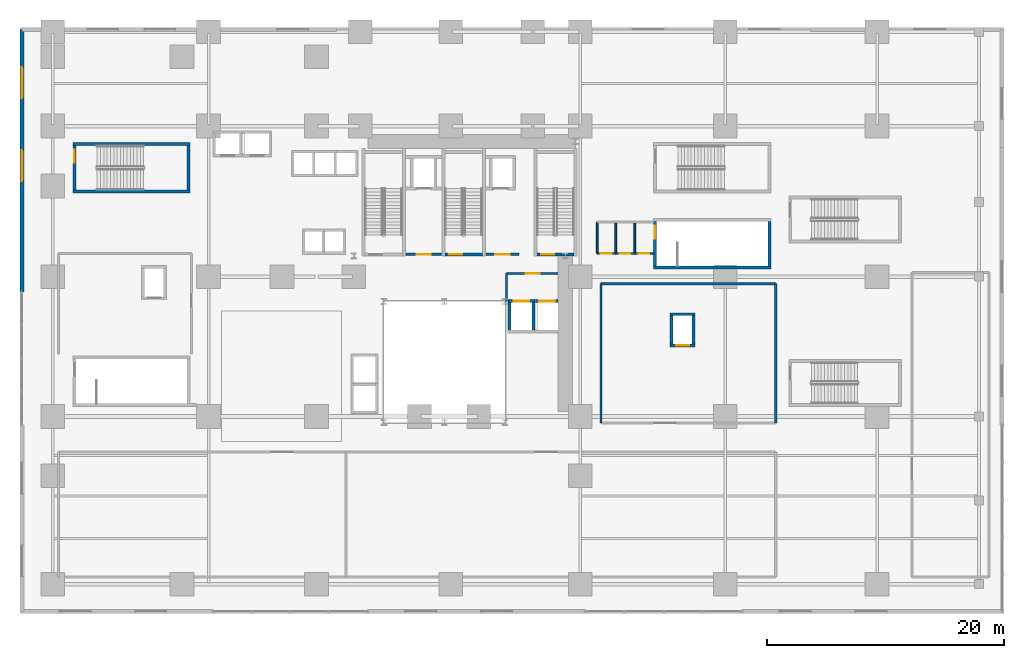
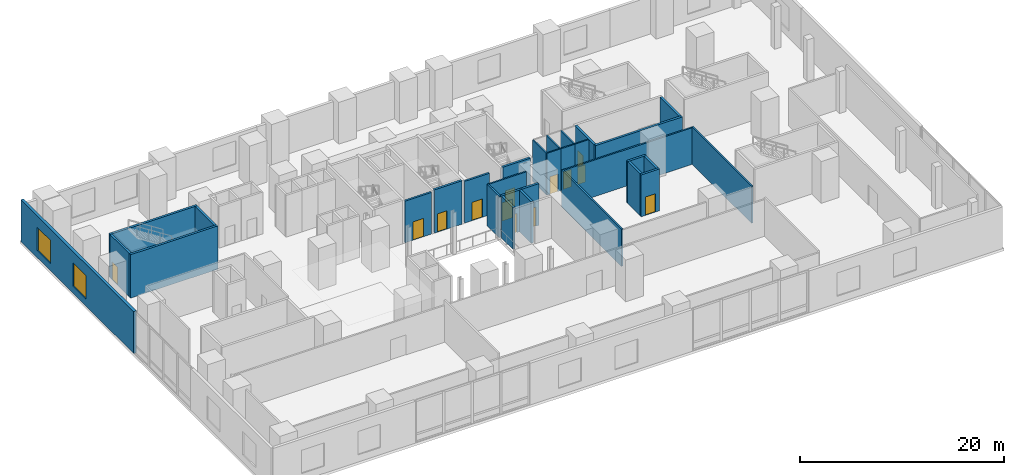
# One storey, part 9 of 15: 31 walls, 13 doors, 2 windows, 15 openings.
"""IFC4 building model written with IfcOpenShell, lengths in metres."""

from ifc_helpers import new_model, si_unit, direction, frame, frame_2d, origin, place, context, subcontext, project, spatial, rectangle, extrude, source, transform, mapped, material, layer, layer_set, type_object, element, fill, save


model = new_model("IFC4")

# Units and contexts
model_context = context("Model", 3, precision=1e-05, world=origin(), true_north=direction((0.0, 1.0)))
body_context = subcontext(model_context, "Body", "Model", "MODEL_VIEW")
ifc_project = project(units=[si_unit("LENGTHUNIT", "METRE"), si_unit("AREAUNIT", "SQUARE_METRE"), si_unit("VOLUMEUNIT", "CUBIC_METRE"), si_unit("PLANEANGLEUNIT", "RADIAN"), si_unit("MASSUNIT", "GRAM", prefix="KILO")], contexts=[model_context])

# Site, building, storey
site_placement = place(None, origin())
site = spatial("IfcSite", under=ifc_project, at=site_placement, CompositionType="ELEMENT")
building_placement = place(site_placement, origin())
building = spatial("IfcBuilding", under=site, at=building_placement, Name="Vardaveli Station Tower", CompositionType="ELEMENT")
storey_placement = place(building_placement, frame((0.0, 0.0, 6.0)))
storey = spatial("IfcBuildingStorey", under=building, at=storey_placement, Name="L02", CompositionType="ELEMENT", Elevation=6.0)

# Wall, openings, windows
ifc_material_1 = material(Name="Precast concrete C45/55", Category="concrete")
ifc_layer_1 = layer(ifc_material_1, 0.320068359375, Name="Precast concrete C45/55")
ifc_layer_set_1 = layer_set([ifc_layer_1], Name="Precast concrete C45/55")
wall_type_1 = type_object("IfcWallType", Name="WAL-EXT-STONE-320", PredefinedType="SOLIDWALL", material=ifc_layer_set_1)
shared_shape_1 = source(origin(), body_context, "Body", "SweptSolid", [
    extrude(rectangle(XDim=22.14990234375, YDim=0.320068359375, at=frame_2d((11.074951171875, 0.0))), origin(), (0.0, 0.0, 1.0), 5.0),
])
wall_1_placement = place(storey_placement, frame((0.64990234375, 49.75, 0.0), z_axis=(0.0, 0.0, 1.0), x_axis=(0.0, -1.0, 0.0)))
wall_1 = element("IfcWall", 1, at=wall_1_placement, inside=storey, type_object=wall_type_1, Name="EW-L02-W3", PredefinedType="SOLIDWALL", context=body_context, shape_type="MappedRepresentation", body=[
    mapped(shared_shape_1, transform((0.0, 0.0, 0.0), scale=1.0)),
])
shared_shape_2 = source(origin(), body_context, "Body", "SweptSolid", [
    extrude(rectangle(XDim=2.60009765625, YDim=2.800048828125, at=frame_2d((1.300048828125, 1.39990234375))), frame((0.0, 0.169921875, 0.0), z_axis=(0.0, -1.0, 0.0), x_axis=(1.0, 0.0, 0.0)), (0.0, 0.0, 1.0), 0.340087890625),
])
opening_1_placement = place(wall_1_placement, frame((3.199951171875, 0.0, 0.85009765625)))
opening_1 = element("IfcOpeningElement", 2, at=opening_1_placement, cuts=wall_1, Name="Opening W-02", PredefinedType="OPENING", context=body_context, shape_type="MappedRepresentation", body=[
    mapped(shared_shape_2, transform((0.0, 0.0, 0.0), scale=1.0)),
])
opening_2_placement = place(wall_1_placement, frame((10.199951171875, 0.0, 0.85009765625)))
opening_2 = element("IfcOpeningElement", 3, at=opening_2_placement, cuts=wall_1, Name="Opening W-02", PredefinedType="OPENING", context=body_context, shape_type="MappedRepresentation", body=[
    mapped(shared_shape_2, transform((0.0, 0.0, 0.0), scale=1.0)),
])
ifc_material_2 = material(Name="Low-E solar-control glass", Category="glass")
window_type = type_object("IfcWindowType", Name="WIN-POD-2600x2800", PartitioningType="SINGLE_PANEL", PredefinedType="WINDOW", material=ifc_material_2)
shared_shape_3 = source(origin(), body_context, "Body", "SweptSolid", [
    extrude(rectangle(XDim=2.60009765625, YDim=2.800048828125, at=frame_2d((1.300048828125, 1.39990234375))), frame((0.0, 0.030029296875, 0.0), z_axis=(0.0, -1.0, 0.0), x_axis=(1.0, 0.0, 0.0)), (0.0, 0.0, 1.0), 0.06005859375),
])
window_1_placement = place(opening_1_placement, origin())
window_1 = element("IfcWindow", 4, at=window_1_placement, inside=storey, type_object=window_type, Name="WN-L02-W3A", OverallHeight=2.800048828125, OverallWidth=2.60009765625, PartitioningType="SINGLE_PANEL", PredefinedType="WINDOW", context=body_context, shape_type="MappedRepresentation", body=[
    mapped(shared_shape_3, transform((0.0, 0.0, 0.0), scale=1.0)),
])
fill(opening_1, window_1)
window_2_placement = place(opening_2_placement, origin())
window_2 = element("IfcWindow", 5, at=window_2_placement, inside=storey, type_object=window_type, Name="WN-L02-W3B", OverallHeight=2.800048828125, OverallWidth=2.60009765625, PartitioningType="SINGLE_PANEL", PredefinedType="WINDOW", context=body_context, shape_type="MappedRepresentation", body=[
    mapped(shared_shape_3, transform((0.0, 0.0, 0.0), scale=1.0)),
])
fill(opening_2, window_2)

# Wall, opening, door
ifc_material_3 = material(Name="Concrete C40/50", Category="concrete")
ifc_layer_2 = layer(ifc_material_3, 0.25, Name="Concrete C40/50")
ifc_layer_set_2 = layer_set([ifc_layer_2], Name="Concrete C40/50")
wall_type_2 = type_object("IfcWallType", Name="WAL-SHAFT-250", PredefinedType="SOLIDWALL", material=ifc_layer_set_2)
shared_shape_4 = source(origin(), body_context, "Body", "SweptSolid", [
    extrude(rectangle(XDim=3.14990234375, YDim=0.25, at=frame_2d((1.574951171875, 0.0))), origin(), (0.0, 0.0, 1.0), 5.199951171875),
])
wall_2_placement = place(storey_placement, frame((36.35009765625, 30.77490234375, 0.0), z_axis=(0.0, 0.0, 1.0), x_axis=(1.0, 0.0, 0.0)))
wall_2 = element("IfcWall", 6, at=wall_2_placement, inside=storey, type_object=wall_type_2, Name="W-L02-ST-2S", PredefinedType="SOLIDWALL", context=body_context, shape_type="MappedRepresentation", body=[
    mapped(shared_shape_4, transform((0.0, 0.0, 0.0), scale=1.0)),
])
shared_shape_5 = source(origin(), body_context, "Body", "SweptSolid", [
    extrude(rectangle(XDim=1.10009765625, YDim=2.199951171875, at=frame_2d((0.550048828125, 1.10009765625))), frame((0.0, 0.135009765625, 0.0), z_axis=(0.0, -1.0, 0.0), x_axis=(1.0, 0.0, 0.0)), (0.0, 0.0, 1.0), 0.27001953125),
])
opening_3_placement = place(wall_2_placement, frame((0.35009765625, 0.0, 0.0)))
opening_3 = element("IfcOpeningElement", 7, at=opening_3_placement, cuts=wall_2, Name="Opening D-04", PredefinedType="OPENING", context=body_context, shape_type="MappedRepresentation", body=[
    mapped(shared_shape_5, transform((0.0, 0.0, 0.0), scale=1.0)),
])
ifc_material_4 = material(Name="Steel smokeproof fire doorset", Category="steel")
door_type_1 = type_object("IfcDoorType", Name="DR-ST-1100x2200", OperationType="NOTDEFINED", PredefinedType="DOOR", material=ifc_material_4)
shared_shape_6 = source(origin(), body_context, "Body", "SweptSolid", [
    extrude(rectangle(XDim=1.10009765625, YDim=2.199951171875, at=frame_2d((0.550048828125, 1.10009765625))), frame((0.0, 0.02490234375, 0.0), z_axis=(0.0, -1.0, 0.0), x_axis=(1.0, 0.0, 0.0)), (0.0, 0.0, 1.0), 0.050048828125),
])
door_1_placement = place(opening_3_placement, origin())
door_1 = element("IfcDoor", 8, at=door_1_placement, inside=storey, type_object=door_type_1, Name="DST-2-L02", OperationType="SINGLE_SWING_LEFT", OverallHeight=2.199951171875, OverallWidth=1.10009765625, PredefinedType="DOOR", context=body_context, shape_type="MappedRepresentation", body=[
    mapped(shared_shape_6, transform((0.0, 0.0, 0.0), scale=1.0)),
])
fill(opening_3, door_1)

wall_3_placement = place(storey_placement, frame((44.10009765625, 30.77490234375, 0.0), z_axis=(0.0, 0.0, 1.0), x_axis=(1.0, 0.0, 0.0)))
wall_3 = element("IfcWall", 9, at=wall_3_placement, inside=storey, type_object=wall_type_2, Name="W-L02-ST-3S", PredefinedType="SOLIDWALL", context=body_context, shape_type="MappedRepresentation", body=[
    mapped(shared_shape_4, transform((0.0, 0.0, 0.0), scale=1.0)),
])
opening_4_placement = place(wall_3_placement, frame((0.35009765625, 0.0, 0.0)))
opening_4 = element("IfcOpeningElement", 10, at=opening_4_placement, cuts=wall_3, Name="Opening D-04", PredefinedType="OPENING", context=body_context, shape_type="MappedRepresentation", body=[
    mapped(shared_shape_5, transform((0.0, 0.0, 0.0), scale=1.0)),
])
door_2_placement = place(opening_4_placement, origin())
door_2 = element("IfcDoor", 11, at=door_2_placement, inside=storey, type_object=door_type_1, Name="DST-3-L02", OperationType="SINGLE_SWING_LEFT", OverallHeight=2.199951171875, OverallWidth=1.10009765625, PredefinedType="DOOR", context=body_context, shape_type="MappedRepresentation", body=[
    mapped(shared_shape_6, transform((0.0, 0.0, 0.0), scale=1.0)),
])
fill(opening_4, door_2)

# Walls
shared_shape_7 = source(origin(), body_context, "Body", "SweptSolid", [
    extrude(rectangle(XDim=9.900146484375, YDim=0.25, at=frame_2d((4.9501953125, 0.0))), origin(), (0.0, 0.0, 1.0), 5.199951171875),
])
for number, where, z_axis, x_axis, name in (
    (12, (4.949951171875, 36.074951171875, 0.0), (0.0, 0.0, 1.0), (1.0, 0.0, 0.0), "W-L02-ST-P1S"),
    (13, (4.949951171875, 40.074951171875, 0.0), (0.0, 0.0, 1.0), (1.0, 0.0, 0.0), "W-L02-ST-P1N"),
):
    element("IfcWall", number, at=place(storey_placement, frame(where, z_axis=z_axis, x_axis=x_axis)), inside=storey, type_object=wall_type_2, Name=name, PredefinedType="SOLIDWALL", context=body_context, shape_type="MappedRepresentation", body=[
        mapped(shared_shape_7, transform((0.0, 0.0, 0.0), scale=1.0)),
    ])
shared_shape_8 = source(origin(), body_context, "Body", "SweptSolid", [
    extrude(rectangle(XDim=3.75, YDim=0.25, at=frame_2d((1.875, 0.0))), origin(), (0.0, 0.0, 1.0), 5.199951171875),
])
wall_4_placement = place(storey_placement, frame((14.72509765625, 36.199951171875, 0.0), z_axis=(0.0, 0.0, 1.0), x_axis=(0.0, 1.0, 0.0)))
element("IfcWall", 14, at=wall_4_placement, inside=storey, type_object=wall_type_2, Name="W-L02-ST-P1E", PredefinedType="SOLIDWALL", context=body_context, shape_type="MappedRepresentation", body=[
    mapped(shared_shape_8, transform((0.0, 0.0, 0.0), scale=1.0)),
])

# Wall, opening, door
wall_5_placement = place(storey_placement, frame((5.074951171875, 36.199951171875, 0.0), z_axis=(0.0, 0.0, 1.0), x_axis=(0.0, 1.0, 0.0)))
wall_5 = element("IfcWall", 15, at=wall_5_placement, inside=storey, type_object=wall_type_2, Name="W-L02-ST-P1W", PredefinedType="SOLIDWALL", context=body_context, shape_type="MappedRepresentation", body=[
    mapped(shared_shape_8, transform((0.0, 0.0, 0.0), scale=1.0)),
])
opening_5_placement = place(wall_5_placement, frame((2.300048828125, 0.0, 0.0)))
opening_5 = element("IfcOpeningElement", 16, at=opening_5_placement, cuts=wall_5, Name="Opening D-04", PredefinedType="OPENING", context=body_context, shape_type="MappedRepresentation", body=[
    mapped(shared_shape_5, transform((0.0, 0.0, 0.0), scale=1.0)),
])
door_3_placement = place(opening_5_placement, origin())
door_3 = element("IfcDoor", 17, at=door_3_placement, inside=storey, type_object=door_type_1, Name="DST-P1-L02", OperationType="SINGLE_SWING_RIGHT", OverallHeight=2.199951171875, OverallWidth=1.10009765625, PredefinedType="DOOR", context=body_context, shape_type="MappedRepresentation", body=[
    mapped(shared_shape_6, transform((0.0, 0.0, 0.0), scale=1.0)),
])
fill(opening_5, door_3)

# Walls
shared_shape_9 = source(origin(), body_context, "Body", "SweptSolid", [
    extrude(rectangle(XDim=9.900146484375, YDim=0.25, at=frame_2d((4.9501953125, 0.0))), origin(), (0.0, 0.0, 1.0), 5.0),
])
wall_6_placement = place(storey_placement, frame((53.949951171875, 29.675048828125, 0.0), z_axis=(0.0, 0.0, 1.0), x_axis=(1.0, 0.0, 0.0)))
element("IfcWall", 18, at=wall_6_placement, inside=storey, type_object=wall_type_2, Name="W-L02-ST-S2S", PredefinedType="SOLIDWALL", context=body_context, shape_type="MappedRepresentation", body=[
    mapped(shared_shape_9, transform((0.0, 0.0, 0.0), scale=1.0)),
])
shared_shape_10 = source(origin(), body_context, "Body", "SweptSolid", [
    extrude(rectangle(XDim=3.75, YDim=0.25, at=frame_2d((1.875, 0.0))), origin(), (0.0, 0.0, 1.0), 5.0),
])
wall_7_placement = place(storey_placement, frame((63.72509765625, 29.800048828125, 0.0), z_axis=(0.0, 0.0, 1.0), x_axis=(0.0, 1.0, 0.0)))
element("IfcWall", 19, at=wall_7_placement, inside=storey, type_object=wall_type_2, Name="W-L02-ST-S2E", PredefinedType="SOLIDWALL", context=body_context, shape_type="MappedRepresentation", body=[
    mapped(shared_shape_10, transform((0.0, 0.0, 0.0), scale=1.0)),
])

# Wall, opening, door
wall_8_placement = place(storey_placement, frame((54.074951171875, 29.800048828125, 0.0), z_axis=(0.0, 0.0, 1.0), x_axis=(0.0, 1.0, 0.0)))
wall_8 = element("IfcWall", 20, at=wall_8_placement, inside=storey, type_object=wall_type_2, Name="W-L02-ST-S2W", PredefinedType="SOLIDWALL", context=body_context, shape_type="MappedRepresentation", body=[
    mapped(shared_shape_10, transform((0.0, 0.0, 0.0), scale=1.0)),
])
opening_6_placement = place(wall_8_placement, frame((2.300048828125, 0.0, 0.0)))
opening_6 = element("IfcOpeningElement", 21, at=opening_6_placement, cuts=wall_8, Name="Opening D-04", PredefinedType="OPENING", context=body_context, shape_type="MappedRepresentation", body=[
    mapped(shared_shape_5, transform((0.0, 0.0, 0.0), scale=1.0)),
])
door_4_placement = place(opening_6_placement, origin())
door_4 = element("IfcDoor", 22, at=door_4_placement, inside=storey, type_object=door_type_1, Name="DST-S2-L02", OperationType="SINGLE_SWING_RIGHT", OverallHeight=2.199951171875, OverallWidth=1.10009765625, PredefinedType="DOOR", context=body_context, shape_type="MappedRepresentation", body=[
    mapped(shared_shape_6, transform((0.0, 0.0, 0.0), scale=1.0)),
])
fill(opening_6, door_4)

ifc_layer_3 = layer(ifc_material_3, 0.219970703125, Name="Concrete C40/50")
ifc_layer_set_3 = layer_set([ifc_layer_3], Name="Concrete C40/50")
wall_type_3 = type_object("IfcWallType", Name="WAL-FFLOBBY-220", PredefinedType="SOLIDWALL", material=ifc_layer_set_3)
shared_shape_11 = source(origin(), body_context, "Body", "SweptSolid", [
    extrude(rectangle(XDim=3.0, YDim=0.219970703125, at=frame_2d((1.5, 0.0))), origin(), (0.0, 0.0, 1.0), 5.0),
])
wall_9_placement = place(storey_placement, frame((33.050048828125, 30.780029296875, 0.0), z_axis=(0.0, 0.0, 1.0), x_axis=(1.0, 0.0, 0.0)))
wall_9 = element("IfcWall", 23, at=wall_9_placement, inside=storey, type_object=wall_type_3, Name="W-L02-FFL1S", PredefinedType="SOLIDWALL", context=body_context, shape_type="MappedRepresentation", body=[
    mapped(shared_shape_11, transform((0.0, 0.0, 0.0), scale=1.0)),
])
shared_shape_12 = source(origin(), body_context, "Body", "SweptSolid", [
    extrude(rectangle(XDim=1.199951171875, YDim=2.199951171875, at=frame_2d((0.60009765625, 1.10009765625))), frame((0.0, 0.1201171875, 0.0), z_axis=(0.0, -1.0, 0.0), x_axis=(1.0, 0.0, 0.0)), (0.0, 0.0, 1.0), 0.239990234375),
])
opening_7_placement = place(wall_9_placement, frame((0.89990234375, 0.0, 0.0)))
opening_7 = element("IfcOpeningElement", 24, at=opening_7_placement, cuts=wall_9, Name="Opening D-03", PredefinedType="OPENING", context=body_context, shape_type="MappedRepresentation", body=[
    mapped(shared_shape_12, transform((0.0, 0.0, 0.0), scale=1.0)),
])
door_type_2 = type_object("IfcDoorType", Name="DR-FFL-1200x2200", OperationType="NOTDEFINED", PredefinedType="DOOR", material=ifc_material_4)
shared_shape_13 = source(origin(), body_context, "Body", "SweptSolid", [
    extrude(rectangle(XDim=1.199951171875, YDim=2.199951171875, at=frame_2d((0.60009765625, 1.10009765625))), frame((0.0, 0.02490234375, 0.0), z_axis=(0.0, -1.0, 0.0), x_axis=(1.0, 0.0, 0.0)), (0.0, 0.0, 1.0), 0.050048828125),
])
door_5_placement = place(opening_7_placement, origin())
door_5 = element("IfcDoor", 25, at=door_5_placement, inside=storey, type_object=door_type_2, Name="DFFL1-L02", OperationType="SINGLE_SWING_LEFT", OverallHeight=2.199951171875, OverallWidth=1.199951171875, PredefinedType="DOOR", context=body_context, shape_type="MappedRepresentation", body=[
    mapped(shared_shape_13, transform((0.0, 0.0, 0.0), scale=1.0)),
])
fill(opening_7, door_5)

shared_shape_14 = source(origin(), body_context, "Body", "SweptSolid", [
    extrude(rectangle(XDim=2.800048828125, YDim=0.219970703125, at=frame_2d((1.39990234375, 0.0))), origin(), (0.0, 0.0, 1.0), 5.0),
])
wall_10_placement = place(storey_placement, frame((39.800048828125, 30.780029296875, 0.0), z_axis=(0.0, 0.0, 1.0), x_axis=(1.0, 0.0, 0.0)))
wall_10 = element("IfcWall", 26, at=wall_10_placement, inside=storey, type_object=wall_type_3, Name="W-L02-FFL2S", PredefinedType="SOLIDWALL", context=body_context, shape_type="MappedRepresentation", body=[
    mapped(shared_shape_14, transform((0.0, 0.0, 0.0), scale=1.0)),
])
opening_8_placement = place(wall_10_placement, frame((0.800048828125, 0.0, 0.0)))
opening_8 = element("IfcOpeningElement", 27, at=opening_8_placement, cuts=wall_10, Name="Opening D-03", PredefinedType="OPENING", context=body_context, shape_type="MappedRepresentation", body=[
    mapped(shared_shape_12, transform((0.0, 0.0, 0.0), scale=1.0)),
])
door_6_placement = place(opening_8_placement, origin())
door_6 = element("IfcDoor", 28, at=door_6_placement, inside=storey, type_object=door_type_2, Name="DFFL2-L02", OperationType="SINGLE_SWING_RIGHT", OverallHeight=2.199951171875, OverallWidth=1.199951171875, PredefinedType="DOOR", context=body_context, shape_type="MappedRepresentation", body=[
    mapped(shared_shape_13, transform((0.0, 0.0, 0.0), scale=1.0)),
])
fill(opening_8, door_6)

# Walls
shared_shape_15 = source(origin(), body_context, "Body", "SweptSolid", [
    extrude(rectangle(XDim=2.400146484375, YDim=0.25, at=frame_2d((1.2001953125, 0.0))), origin(), (0.0, 0.0, 1.0), 5.0),
])
for number, where, z_axis, x_axis, name in (
    (29, (55.47509765625, 23.199951171875, 0.0), (0.0, 0.0, 1.0), (0.0, 1.0, 0.0), "SHW-STN-02-L02-W"),
    (30, (57.324951171875, 23.199951171875, 0.0), (0.0, 0.0, 1.0), (0.0, 1.0, 0.0), "SHW-STN-02-L02-E"),
):
    element("IfcWall", number, at=place(storey_placement, frame(where, z_axis=z_axis, x_axis=x_axis)), inside=storey, type_object=wall_type_2, Name=name, PredefinedType="SOLIDWALL", context=body_context, shape_type="MappedRepresentation", body=[
        mapped(shared_shape_15, transform((0.0, 0.0, 0.0), scale=1.0)),
    ])

# Wall, opening, door
shared_shape_16 = source(origin(), body_context, "Body", "SweptSolid", [
    extrude(rectangle(XDim=2.099853515625, YDim=0.25, at=frame_2d((1.0498046875, 0.0))), origin(), (0.0, 0.0, 1.0), 5.0),
])
wall_11_placement = place(storey_placement, frame((55.35009765625, 23.074951171875, 0.0), z_axis=(0.0, 0.0, 1.0), x_axis=(1.0, 0.0, 0.0)))
wall_11 = element("IfcWall", 31, at=wall_11_placement, inside=storey, type_object=wall_type_2, Name="SHW-STN-02-L02-S", PredefinedType="SOLIDWALL", context=body_context, shape_type="MappedRepresentation", body=[
    mapped(shared_shape_16, transform((0.0, 0.0, 0.0), scale=1.0)),
])
opening_9_placement = place(wall_11_placement, frame((0.5, 0.0, 0.0)))
opening_9 = element("IfcOpeningElement", 32, at=opening_9_placement, cuts=wall_11, Name="Opening LD-01", PredefinedType="OPENING", context=body_context, shape_type="MappedRepresentation", body=[
    mapped(shared_shape_5, transform((0.0, 0.0, 0.0), scale=1.0)),
])
ifc_material_5 = material(Name="Brushed stainless steel", Category="steel")
door_type_3 = type_object("IfcDoorType", Name="DR-LD-1100x2200", OperationType="DOUBLE_DOOR_SLIDING", PredefinedType="DOOR", material=ifc_material_5)
door_7_placement = place(opening_9_placement, origin())
door_7 = element("IfcDoor", 33, at=door_7_placement, inside=storey, type_object=door_type_3, Name="LD-STN-02-L02", OperationType="DOUBLE_DOOR_SLIDING", OverallHeight=2.199951171875, OverallWidth=1.10009765625, PredefinedType="DOOR", context=body_context, shape_type="MappedRepresentation", body=[
    mapped(shared_shape_6, transform((0.0, 0.0, 0.0), scale=1.0)),
])
fill(opening_9, door_7)

# Wall
wall_12_placement = place(storey_placement, frame((55.35009765625, 25.72509765625, 0.0), z_axis=(0.0, 0.0, 1.0), x_axis=(1.0, 0.0, 0.0)))
element("IfcWall", 34, at=wall_12_placement, inside=storey, type_object=wall_type_2, Name="SHW-STN-02-L02-N", PredefinedType="SOLIDWALL", context=body_context, shape_type="MappedRepresentation", body=[
    mapped(shared_shape_16, transform((0.0, 0.0, 0.0), scale=1.0)),
])

# Wall, opening, door
shared_shape_17 = source(origin(), body_context, "Body", "SweptSolid", [
    extrude(rectangle(XDim=2.300048828125, YDim=0.25, at=frame_2d((1.14990234375, 0.0))), origin(), (0.0, 0.0, 1.0), 5.0),
])
wall_13_placement = place(storey_placement, frame((41.64990234375, 26.824951171875, 0.0), z_axis=(0.0, 0.0, 1.0), x_axis=(1.0, 0.0, 0.0)))
wall_13 = element("IfcWall", 35, at=wall_13_placement, inside=storey, type_object=wall_type_2, Name="SHW-SRV-01-L02-N", PredefinedType="SOLIDWALL", context=body_context, shape_type="MappedRepresentation", body=[
    mapped(shared_shape_17, transform((0.0, 0.0, 0.0), scale=1.0)),
])
shared_shape_18 = source(origin(), body_context, "Body", "SweptSolid", [
    extrude(rectangle(XDim=1.300048828125, YDim=2.300048828125, at=frame_2d((0.64990234375, 1.14990234375))), frame((0.0, 0.135009765625, 0.0), z_axis=(0.0, -1.0, 0.0), x_axis=(1.0, 0.0, 0.0)), (0.0, 0.0, 1.0), 0.27001953125),
])
opening_10_placement = place(wall_13_placement, frame((0.5, 0.0, 0.0)))
opening_10 = element("IfcOpeningElement", 36, at=opening_10_placement, cuts=wall_13, Name="Opening LD-03", PredefinedType="OPENING", context=body_context, shape_type="MappedRepresentation", body=[
    mapped(shared_shape_18, transform((0.0, 0.0, 0.0), scale=1.0)),
])
door_type_4 = type_object("IfcDoorType", Name="DR-LD-1300x2300", OperationType="DOUBLE_DOOR_SLIDING", PredefinedType="DOOR", material=ifc_material_5)
shared_shape_19 = source(origin(), body_context, "Body", "SweptSolid", [
    extrude(rectangle(XDim=1.300048828125, YDim=2.300048828125, at=frame_2d((0.64990234375, 1.14990234375))), frame((0.0, 0.02490234375, 0.0), z_axis=(0.0, -1.0, 0.0), x_axis=(1.0, 0.0, 0.0)), (0.0, 0.0, 1.0), 0.050048828125),
])
door_8_placement = place(opening_10_placement, origin())
door_8 = element("IfcDoor", 37, at=door_8_placement, inside=storey, type_object=door_type_4, Name="LD-SRV-01-L02", OperationType="DOUBLE_DOOR_SLIDING", OverallHeight=2.300048828125, OverallWidth=1.300048828125, PredefinedType="DOOR", context=body_context, shape_type="MappedRepresentation", body=[
    mapped(shared_shape_19, transform((0.0, 0.0, 0.0), scale=1.0)),
])
fill(opening_10, door_8)

# Walls
for number, where, z_axis, x_axis, name in (
    (38, (41.77490234375, 24.39990234375, 0.0), (0.0, 0.0, 1.0), (0.0, 1.0, 0.0), "SHW-SRV-01-L02-W"),
    (39, (43.824951171875, 24.39990234375, 0.0), (0.0, 0.0, 1.0), (0.0, 1.0, 0.0), "SHW-SRV-01-L02-E"),
):
    element("IfcWall", number, at=place(storey_placement, frame(where, z_axis=z_axis, x_axis=x_axis)), inside=storey, type_object=wall_type_2, Name=name, PredefinedType="SOLIDWALL", context=body_context, shape_type="MappedRepresentation", body=[
        mapped(shared_shape_17, transform((0.0, 0.0, 0.0), scale=1.0)),
    ])

# Wall, opening, door
shared_shape_20 = source(origin(), body_context, "Body", "SweptSolid", [
    extrude(rectangle(XDim=1.89990234375, YDim=0.25, at=frame_2d((0.949951171875, 0.0))), origin(), (0.0, 0.0, 1.0), 5.0),
])
wall_14_placement = place(storey_placement, frame((44.0, 26.824951171875, 0.0), z_axis=(0.0, 0.0, 1.0), x_axis=(1.0, 0.0, 0.0)))
wall_14 = element("IfcWall", 40, at=wall_14_placement, inside=storey, type_object=wall_type_2, Name="SHW-SRV-02-L02-N", PredefinedType="SOLIDWALL", context=body_context, shape_type="MappedRepresentation", body=[
    mapped(shared_shape_20, transform((0.0, 0.0, 0.0), scale=1.0)),
])
opening_11_placement = place(wall_14_placement, frame((0.300048828125, 0.0, 0.0)))
opening_11 = element("IfcOpeningElement", 41, at=opening_11_placement, cuts=wall_14, Name="Opening LD-03", PredefinedType="OPENING", context=body_context, shape_type="MappedRepresentation", body=[
    mapped(shared_shape_18, transform((0.0, 0.0, 0.0), scale=1.0)),
])
door_9_placement = place(opening_11_placement, origin())
door_9 = element("IfcDoor", 42, at=door_9_placement, inside=storey, type_object=door_type_4, Name="LD-SRV-02-L02", OperationType="DOUBLE_DOOR_SLIDING", OverallHeight=2.300048828125, OverallWidth=1.300048828125, PredefinedType="DOOR", context=body_context, shape_type="MappedRepresentation", body=[
    mapped(shared_shape_19, transform((0.0, 0.0, 0.0), scale=1.0)),
])
fill(opening_11, door_9)

# Wall
ifc_material_6 = material(Name="Fire-rated gypsum stud partition")
ifc_layer_4 = layer(ifc_material_6, 0.179931640625, Name="Fire-rated gypsum stud partition")
ifc_layer_set_4 = layer_set([ifc_layer_4], Name="Fire-rated gypsum stud partition")
wall_type_4 = type_object("IfcWallType", Name="WAL-CORR-180", PredefinedType="PARTITIONING", material=ifc_layer_set_4)
shared_shape_21 = source(origin(), body_context, "Body", "SweptSolid", [
    extrude(rectangle(XDim=14.75, YDim=0.179931640625, at=frame_2d((7.375, 0.0))), origin(), (0.0, 0.0, 1.0), 4.39208984375),
])
wall_15_placement = place(storey_placement, frame((49.5, 28.300048828125, 0.0), z_axis=(0.0, 0.0, 1.0), x_axis=(1.0, 0.0, 0.0)))
element("IfcWall", 43, at=wall_15_placement, inside=storey, type_object=wall_type_4, Name="W-L02-MN3-N", PredefinedType="PARTITIONING", context=body_context, shape_type="MappedRepresentation", body=[
    mapped(shared_shape_21, transform((0.0, 0.0, 0.0), scale=1.0)),
])

# Wall, opening, door
shared_shape_22 = source(origin(), body_context, "Body", "SweptSolid", [
    extrude(rectangle(XDim=4.347900390625, YDim=0.179931640625, at=frame_2d((2.173828125, 0.0))), origin(), (0.0, 0.0, 1.0), 5.0),
])
wall_16_placement = place(storey_placement, frame((41.550048828125, 29.14990234375, 0.0), z_axis=(0.0, 0.0, 1.0), x_axis=(1.0, 0.0, 0.0)))
wall_16 = element("IfcWall", 44, at=wall_16_placement, inside=storey, type_object=wall_type_4, Name="W-L02-SVFN", PredefinedType="PARTITIONING", context=body_context, shape_type="MappedRepresentation", body=[
    mapped(shared_shape_22, transform((0.0, 0.0, 0.0), scale=1.0)),
])
shared_shape_23 = source(origin(), body_context, "Body", "SweptSolid", [
    extrude(rectangle(XDim=1.199951171875, YDim=2.199951171875, at=frame_2d((0.60009765625, 1.10009765625))), frame((0.0, 0.10009765625, 0.0), z_axis=(0.0, -1.0, 0.0), x_axis=(1.0, 0.0, 0.0)), (0.0, 0.0, 1.0), 0.199951171875),
])
opening_12_placement = place(wall_16_placement, frame((1.60009765625, 0.0, 0.0)))
opening_12 = element("IfcOpeningElement", 45, at=opening_12_placement, cuts=wall_16, Name="Opening D-03", PredefinedType="OPENING", context=body_context, shape_type="MappedRepresentation", body=[
    mapped(shared_shape_23, transform((0.0, 0.0, 0.0), scale=1.0)),
])
door_10_placement = place(opening_12_placement, origin())
door_10 = element("IfcDoor", 46, at=door_10_placement, inside=storey, type_object=door_type_2, Name="D-L02-SVF", OperationType="SINGLE_SWING_LEFT", OverallHeight=2.199951171875, OverallWidth=1.199951171875, PredefinedType="DOOR", context=body_context, shape_type="MappedRepresentation", body=[
    mapped(shared_shape_13, transform((0.0, 0.0, 0.0), scale=1.0)),
])
fill(opening_12, door_10)

ifc_material_7 = material(Name="Moisture-resistant stud partition")
ifc_layer_5 = layer(ifc_material_7, 0.14990234375, Name="Moisture-resistant stud partition")
ifc_layer_set_5 = layer_set([ifc_layer_5], Name="Moisture-resistant stud partition")
wall_type_5 = type_object("IfcWallType", Name="WAL-WET-150", PredefinedType="PARTITIONING", material=ifc_layer_set_5)
shared_shape_24 = source(origin(), body_context, "Body", "SweptSolid", [
    extrude(rectangle(XDim=1.587890625, YDim=0.14990234375, at=frame_2d((0.7939453125, 0.0))), origin(), (0.0, 0.0, 1.0), 5.0),
])
wall_17_placement = place(storey_placement, frame((52.360107421875, 30.85009765625, 0.0), z_axis=(0.0, 0.0, 1.0), x_axis=(1.0, 0.0, 0.0)))
wall_17 = element("IfcWall", 47, at=wall_17_placement, inside=storey, type_object=wall_type_5, Name="W-L02-WCF-S", PredefinedType="PARTITIONING", context=body_context, shape_type="MappedRepresentation", body=[
    mapped(shared_shape_24, transform((0.0, 0.0, 0.0), scale=1.0)),
])
shared_shape_25 = source(origin(), body_context, "Body", "SweptSolid", [
    extrude(rectangle(XDim=0.919921875, YDim=2.10009765625, at=frame_2d((0.4599609375, 1.050048828125))), frame((0.0, 0.0849609375, 0.0), z_axis=(0.0, -1.0, 0.0), x_axis=(1.0, 0.0, 0.0)), (0.0, 0.0, 1.0), 0.169921875),
])
opening_13_placement = place(wall_17_placement, frame((0.320068359375, 0.0, 0.0)))
opening_13 = element("IfcOpeningElement", 48, at=opening_13_placement, cuts=wall_17, Name="Opening D-07", PredefinedType="OPENING", context=body_context, shape_type="MappedRepresentation", body=[
    mapped(shared_shape_25, transform((0.0, 0.0, 0.0), scale=1.0)),
])
ifc_material_8 = material(Name="Moisture-resistant hardwood door", Category="wood")
door_type_5 = type_object("IfcDoorType", Name="DR-WC-920x2100", OperationType="NOTDEFINED", PredefinedType="DOOR", material=ifc_material_8)
shared_shape_26 = source(origin(), body_context, "Body", "SweptSolid", [
    extrude(rectangle(XDim=0.919921875, YDim=2.10009765625, at=frame_2d((0.4599609375, 1.050048828125))), frame((0.0, 0.02490234375, 0.0), z_axis=(0.0, -1.0, 0.0), x_axis=(1.0, 0.0, 0.0)), (0.0, 0.0, 1.0), 0.050048828125),
])
door_11_placement = place(opening_13_placement, origin())
door_11 = element("IfcDoor", 49, at=door_11_placement, inside=storey, type_object=door_type_5, Name="D-L02-WCF", OperationType="SINGLE_SWING_RIGHT", OverallHeight=2.10009765625, OverallWidth=0.919921875, PredefinedType="DOOR", context=body_context, shape_type="MappedRepresentation", body=[
    mapped(shared_shape_26, transform((0.0, 0.0, 0.0), scale=1.0)),
])
fill(opening_13, door_11)

shared_shape_27 = source(origin(), body_context, "Body", "SweptSolid", [
    extrude(rectangle(XDim=1.610107421875, YDim=0.14990234375, at=frame_2d((0.80517578125, 0.0))), origin(), (0.0, 0.0, 1.0), 5.0),
])
wall_18_placement = place(storey_placement, frame((50.75, 30.85009765625, 0.0), z_axis=(0.0, 0.0, 1.0), x_axis=(1.0, 0.0, 0.0)))
wall_18 = element("IfcWall", 50, at=wall_18_placement, inside=storey, type_object=wall_type_5, Name="W-L02-WCM-S", PredefinedType="PARTITIONING", context=body_context, shape_type="MappedRepresentation", body=[
    mapped(shared_shape_27, transform((0.0, 0.0, 0.0), scale=1.0)),
])
opening_14_placement = place(wall_18_placement, frame((0.320068359375, 0.0, 0.0)))
opening_14 = element("IfcOpeningElement", 51, at=opening_14_placement, cuts=wall_18, Name="Opening D-07", PredefinedType="OPENING", context=body_context, shape_type="MappedRepresentation", body=[
    mapped(shared_shape_25, transform((0.0, 0.0, 0.0), scale=1.0)),
])
door_12_placement = place(opening_14_placement, origin())
door_12 = element("IfcDoor", 52, at=door_12_placement, inside=storey, type_object=door_type_5, Name="D-L02-WCM", OperationType="SINGLE_SWING_LEFT", OverallHeight=2.10009765625, OverallWidth=0.919921875, PredefinedType="DOOR", context=body_context, shape_type="MappedRepresentation", body=[
    mapped(shared_shape_26, transform((0.0, 0.0, 0.0), scale=1.0)),
])
fill(opening_14, door_12)

shared_shape_28 = source(origin(), body_context, "Body", "SweptSolid", [
    extrude(rectangle(XDim=1.550048828125, YDim=0.14990234375, at=frame_2d((0.77490234375, 0.0))), origin(), (0.0, 0.0, 1.0), 5.0),
])
wall_19_placement = place(storey_placement, frame((49.199951171875, 30.85009765625, 0.0), z_axis=(0.0, 0.0, 1.0), x_axis=(1.0, 0.0, 0.0)))
wall_19 = element("IfcWall", 53, at=wall_19_placement, inside=storey, type_object=wall_type_5, Name="W-L02-WCA-S", PredefinedType="PARTITIONING", context=body_context, shape_type="MappedRepresentation", body=[
    mapped(shared_shape_28, transform((0.0, 0.0, 0.0), scale=1.0)),
])
opening_15_placement = place(wall_19_placement, frame((0.300048828125, 0.0, 0.0)))
opening_15 = element("IfcOpeningElement", 54, at=opening_15_placement, cuts=wall_19, Name="Opening D-07", PredefinedType="OPENING", context=body_context, shape_type="MappedRepresentation", body=[
    mapped(shared_shape_25, transform((0.0, 0.0, 0.0), scale=1.0)),
])
door_13_placement = place(opening_15_placement, origin())
door_13 = element("IfcDoor", 55, at=door_13_placement, inside=storey, type_object=door_type_5, Name="D-L02-WCA", OperationType="SINGLE_SWING_RIGHT", OverallHeight=2.10009765625, OverallWidth=0.919921875, PredefinedType="DOOR", context=body_context, shape_type="MappedRepresentation", body=[
    mapped(shared_shape_26, transform((0.0, 0.0, 0.0), scale=1.0)),
])
fill(opening_15, door_13)

# Walls
shared_shape_29 = source(origin(), body_context, "Body", "SweptSolid", [
    extrude(rectangle(XDim=11.75, YDim=0.179931640625, at=frame_2d((5.875, 0.0))), origin(), (0.0, 0.0, 1.0), 4.468017578125),
])
for number, where, z_axis, x_axis, name in (
    (56, (49.5, 16.550048828125, 0.0), (0.0, 0.0, 1.0), (0.0, 1.0, 0.0), "W-L02-MN3-W"),
    (57, (64.25, 16.550048828125, 0.0), (0.0, 0.0, 1.0), (0.0, 1.0, 0.0), "W-L02-MN3-E"),
):
    element("IfcWall", number, at=place(storey_placement, frame(where, z_axis=z_axis, x_axis=x_axis)), inside=storey, type_object=wall_type_4, Name=name, PredefinedType="PARTITIONING", context=body_context, shape_type="MappedRepresentation", body=[
        mapped(shared_shape_29, transform((0.0, 0.0, 0.0), scale=1.0)),
    ])
shared_shape_30 = source(origin(), body_context, "Body", "SweptSolid", [
    extrude(rectangle(XDim=2.64990234375, YDim=0.14990234375, at=frame_2d((1.324951171875, 0.0))), origin(), (0.0, 0.0, 1.0), 5.0),
])
for number, where, z_axis, x_axis, name in (
    (58, (49.199951171875, 30.85009765625, 0.0), (0.0, 0.0, 1.0), (0.0, 1.0, 0.0), "W-L02-WCA-W"),
    (59, (50.75, 30.85009765625, 0.0), (0.0, 0.0, 1.0), (0.0, 1.0, 0.0), "W-L02-WCA-E"),
    (60, (52.360107421875, 30.85009765625, 0.0), (0.0, 0.0, 1.0), (0.0, 1.0, 0.0), "W-L02-WCM-E"),
):
    element("IfcWall", number, at=place(storey_placement, frame(where, z_axis=z_axis, x_axis=x_axis)), inside=storey, type_object=wall_type_5, Name=name, PredefinedType="PARTITIONING", context=body_context, shape_type="MappedRepresentation", body=[
        mapped(shared_shape_30, transform((0.0, 0.0, 0.0), scale=1.0)),
    ])
shared_shape_31 = source(origin(), body_context, "Body", "SweptSolid", [
    extrude(rectangle(XDim=2.349853515625, YDim=0.179931640625, at=frame_2d((1.1748046875, 0.0))), origin(), (0.0, 0.0, 1.0), 5.0),
])
wall_20_placement = place(storey_placement, frame((41.550048828125, 26.800048828125, 0.0), z_axis=(0.0, 0.0, 1.0), x_axis=(0.0, 1.0, 0.0)))
element("IfcWall", 61, at=wall_20_placement, inside=storey, type_object=wall_type_4, Name="W-L02-SVFW", PredefinedType="PARTITIONING", context=body_context, shape_type="MappedRepresentation", body=[
    mapped(shared_shape_31, transform((0.0, 0.0, 0.0), scale=1.0)),
])

save(model, "model.ifc")
